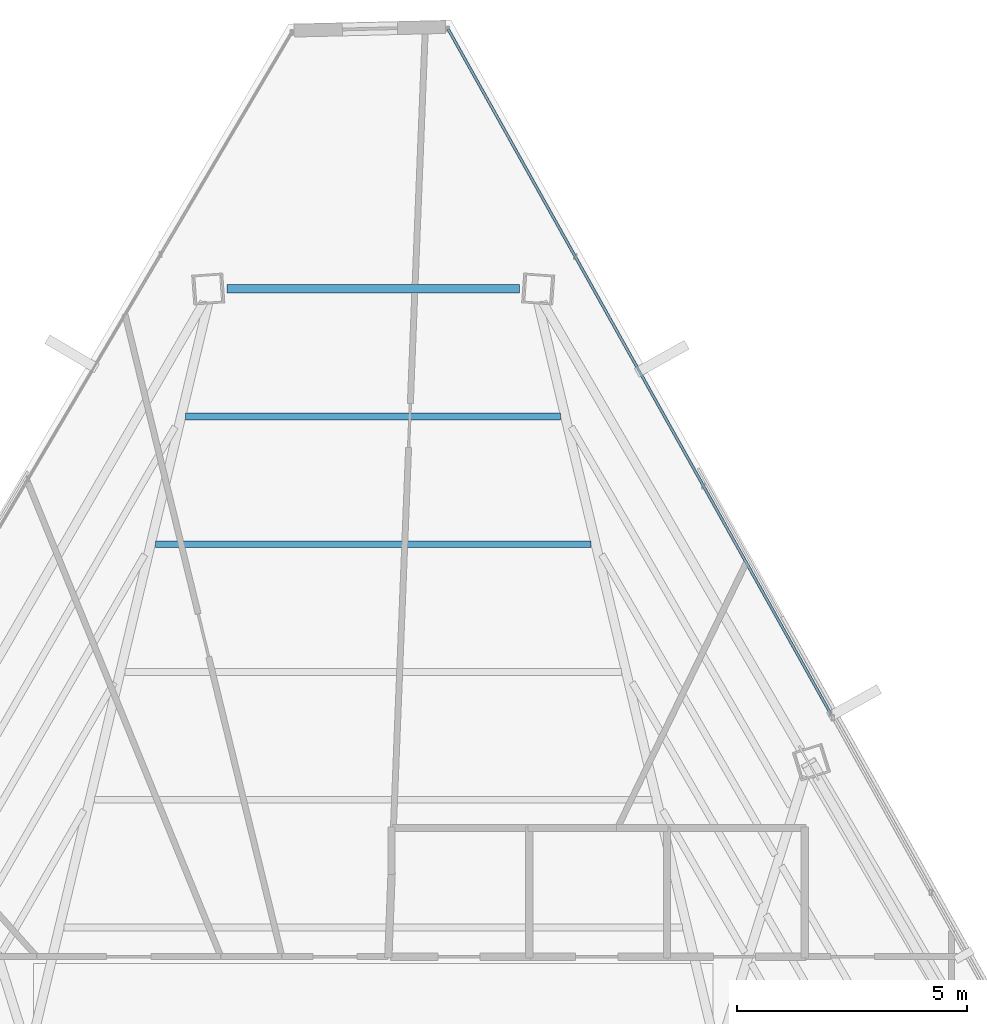
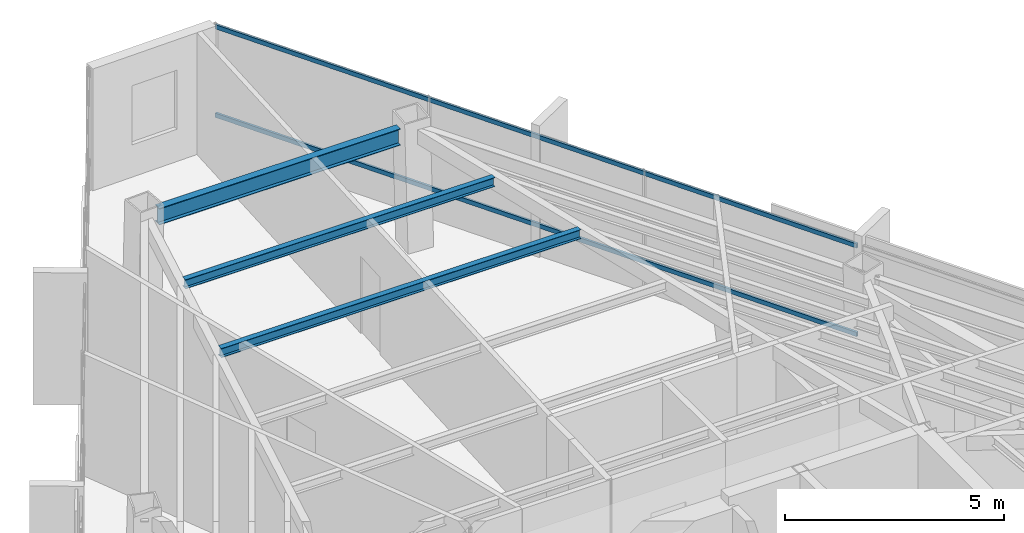
# One storey, part 35 of 45: 3 beams, 2 members, 1 element without a shape of its own.
"""IFC4 building model written with IfcOpenShell, lengths in metres."""

from ifc_helpers import new_model, si_unit, direction, frame, origin, origin_2d, place, context, subcontext, project, spatial, hollow_rectangle, i_section, extrude, source, transform, mapped, material, material_profile, profile_set, type_object, type_shapes, element, aggregate, save


model = new_model("IFC4")

# Units and contexts
model_context = context("Model", 3, precision=1e-05, world=origin(), true_north=direction((0.0, 1.0)))
body_context = subcontext(model_context, "Body", "Model", "MODEL_VIEW")
ifc_project = project(units=[si_unit("LENGTHUNIT", "METRE"), si_unit("AREAUNIT", "SQUARE_METRE"), si_unit("VOLUMEUNIT", "CUBIC_METRE"), si_unit("PLANEANGLEUNIT", "RADIAN"), si_unit("MASSUNIT", "GRAM", prefix="KILO")], contexts=[model_context])

# Site, building, storey
site_placement = place(None, origin())
site = spatial("IfcSite", under=ifc_project, at=site_placement, CompositionType="ELEMENT")
building_placement = place(site_placement, origin())
building = spatial("IfcBuilding", under=site, at=building_placement, Name="Caelisora Broadcast Tower", CompositionType="ELEMENT")
storey_placement = place(building_placement, frame((0.0, 0.0, 266.35009765625)))
storey = spatial("IfcBuildingStorey", under=building, at=storey_placement, Name="L70", CompositionType="ELEMENT", Elevation=266.35009765625)

# Beams
ifc_material_1 = material(Name="Steel Grade 350 (AS/NZS 3679.1)", Category="steel")
ifc_material_profile_1 = material_profile(ifc_material_1, i_section(OverallWidth=0.19091796875, OverallDepth=0.46044921875, WebThickness=0.010009765625, FlangeThickness=0.01611328125, at=origin_2d()), Name="Steel Grade 350 (AS/NZS 3679.1)")
ifc_profile_set_1 = profile_set([ifc_material_profile_1], Name="Steel Grade 350 (AS/NZS 3679.1)")
beam_type_1 = type_object("IfcBeamType", Name="PG06", PredefinedType="BEAM", material=ifc_profile_set_1)
shared_shape_1 = source(origin(), body_context, "Body", "SweptSolid", [
    extrude(i_section(OverallWidth=0.19091796875, OverallDepth=0.46044921875, WebThickness=0.010009765625, FlangeThickness=0.01611328125, at=origin_2d()), origin(), (0.0, 0.0, 1.0), 6.3662109375),
])
type_shapes(beam_type_1, [shared_shape_1])
beam_1_placement = place(storey_placement, frame((41.18310546875, 46.698486328125, 3.169677734375), z_axis=(-1.0, 0.0, 0.0), x_axis=(0.0, -1.0, 0.0)))
element("IfcBeam", 1, at=beam_1_placement, inside=storey, type_object=beam_type_1, Name="L70 beam PG06", PredefinedType="BEAM", context=body_context, shape_type="MappedRepresentation", body=[
    mapped(shared_shape_1, transform((0.0, 0.0, 0.0), scale=1.0)),
])
ifc_material_profile_2 = material_profile(ifc_material_1, i_section(OverallWidth=0.14599609375, OverallDepth=0.256103515625, WebThickness=0.00634765625, FlangeThickness=0.010986328125, at=origin_2d()), Name="Steel Grade 350 (AS/NZS 3679.1)")
ifc_profile_set_2 = profile_set([ifc_material_profile_2], Name="Steel Grade 350 (AS/NZS 3679.1)")
beam_type_2 = type_object("IfcBeamType", Name="SB04", PredefinedType="JOIST", material=ifc_profile_set_2)
shared_shape_2 = source(origin(), body_context, "Body", "SweptSolid", [
    extrude(i_section(OverallWidth=0.14599609375, OverallDepth=0.256103515625, WebThickness=0.00634765625, FlangeThickness=0.010986328125, at=origin_2d()), origin(), (0.0, 0.0, 1.0), 9.4951171875),
])
beam_2_placement = place(storey_placement, frame((42.74755859375, 41.13232421875, 3.271728515625), z_axis=(-1.0, 0.0, 0.0), x_axis=(0.0, -1.0, 0.0)))
element("IfcBeam", 2, at=beam_2_placement, inside=storey, type_object=beam_type_2, Name="L70 beam SB04", PredefinedType="JOIST", context=body_context, shape_type="MappedRepresentation", body=[
    mapped(shared_shape_2, transform((0.0, 0.0, 0.0), scale=1.0)),
])
shared_shape_3 = source(origin(), body_context, "Body", "SweptSolid", [
    extrude(i_section(OverallWidth=0.14599609375, OverallDepth=0.256103515625, WebThickness=0.00634765625, FlangeThickness=0.010986328125, at=origin_2d()), origin(), (0.0, 0.0, 1.0), 8.1689453125),
])
type_shapes(beam_type_2, [shared_shape_2, shared_shape_3])
beam_3_placement = place(storey_placement, frame((42.08447265625, 43.91552734375, 3.271728515625), z_axis=(-1.0, 0.0, 0.0), x_axis=(0.0, -1.0, 0.0)))
element("IfcBeam", 3, at=beam_3_placement, inside=storey, type_object=beam_type_2, Name="L70 beam SB04", PredefinedType="JOIST", context=body_context, shape_type="MappedRepresentation", body=[
    mapped(shared_shape_3, transform((0.0, 0.0, 0.0), scale=1.0)),
])

# Curtain wall, members
ifc_material_2 = material(Name="Unitised Aluminium and Low-E Glass Curtain Wall", Category="glass")
curtain_wall_type = type_object("IfcCurtainWallType", Name="CW-Z5", PredefinedType="NOTDEFINED", material=ifc_material_2)
curtain_wall_placement = place(storey_placement, origin())
curtain_wall = element("IfcCurtainWall", 4, at=curtain_wall_placement, inside=storey, type_object=curtain_wall_type, Name="L70 curtain wall CW-Z5", PredefinedType="NOTDEFINED")
ifc_material_3 = material(Name="Aluminium 6063-T6 Anodised Terracotta Bronze", Category="aluminium")
ifc_material_profile_3 = material_profile(ifc_material_3, hollow_rectangle(XDim=0.06005859375, YDim=0.1201171875, WallThickness=0.0029296875, at=origin_2d()), Name="Aluminium 6063-T6 Anodised Terracotta Bronze")
ifc_profile_set_3 = profile_set([ifc_material_profile_3], Name="Aluminium 6063-T6 Anodised Terracotta Bronze")
member_type = type_object("IfcMemberType", Name="CWT-03", PredefinedType="USERDEFINED", material=ifc_profile_set_3)
shared_shape_4 = source(origin(), body_context, "Body", "SweptSolid", [
    extrude(hollow_rectangle(XDim=0.06005859375, YDim=0.1201171875, WallThickness=0.0029296875, at=origin_2d()), origin(), (0.0, 0.0, 1.0), 17.077880859375),
])
type_shapes(member_type, [shared_shape_4])
member_1_placement = place(storey_placement, frame((39.63037109375, 52.357421875, 0.849853515625), z_axis=(0.487799569924, -0.872955657283, 0.0), x_axis=(0.872955657283, 0.487799569924, 0.0)))
member_1 = element("IfcMember", 5, at=member_1_placement, type_object=member_type, Name="L70-CW-B01 transom #1", ObjectType="TRANSOM", PredefinedType="USERDEFINED", context=body_context, shape_type="MappedRepresentation", body=[
    mapped(shared_shape_4, transform((0.0, 0.0, 0.0), scale=1.0)),
])
member_2_placement = place(storey_placement, frame((39.63037109375, 52.357421875, 3.31982421875), z_axis=(0.487799569924, -0.872955657283, 0.0), x_axis=(0.872955657283, 0.487799569924, 0.0)))
member_2 = element("IfcMember", 6, at=member_2_placement, type_object=member_type, Name="L70-CW-B01 transom #2", ObjectType="TRANSOM", PredefinedType="USERDEFINED", context=body_context, shape_type="MappedRepresentation", body=[
    mapped(shared_shape_4, transform((0.0, 0.0, 0.0), scale=1.0)),
])
aggregate(curtain_wall, [member_1, member_2])

save(model, "model.ifc")
